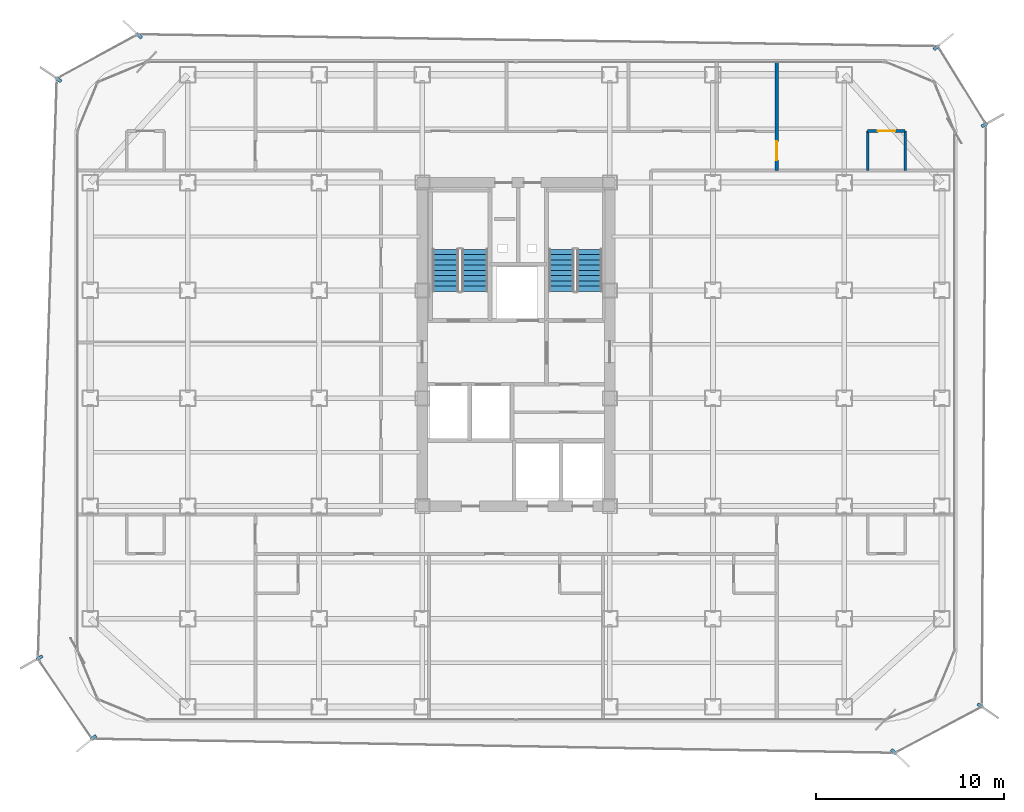
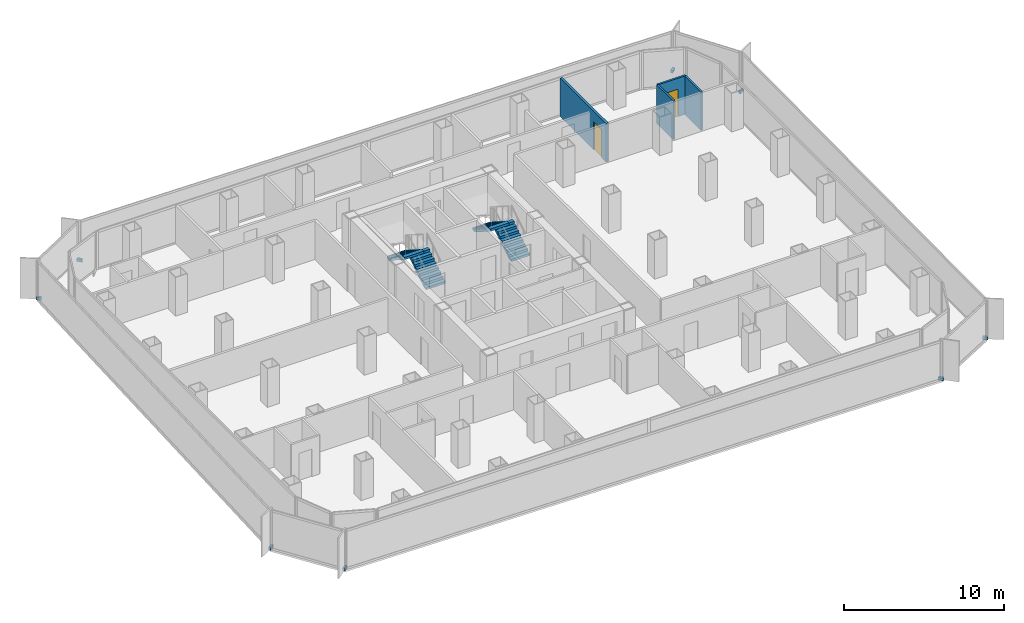
# One storey, part 18 of 21: 8 discrete accessories, 4 stair flights, 4 walls, 2 doors, 2 openings, 2 elements without a shape of their own.
"""IFC4 building model written with IfcOpenShell, lengths in metres."""

from ifc_helpers import new_model, si_unit, direction, frame, frame_2d, origin, origin_2d, place, context, subcontext, project, spatial, polyline, rectangle, outline, extrude, source, transform, mapped, material, layer, layer_set, type_object, element, fill, aggregate, save


model = new_model("IFC4")

# Units and contexts
model_context = context("Model", 3, precision=1e-05, world=origin(), true_north=direction((0.0, 1.0)))
body_context = subcontext(model_context, "Body", "Model", "MODEL_VIEW")
ifc_project = project(units=[si_unit("LENGTHUNIT", "METRE"), si_unit("AREAUNIT", "SQUARE_METRE"), si_unit("VOLUMEUNIT", "CUBIC_METRE"), si_unit("PLANEANGLEUNIT", "RADIAN"), si_unit("MASSUNIT", "GRAM", prefix="KILO")], contexts=[model_context])

# Site, building, storey
site_placement = place(None, origin())
site = spatial("IfcSite", under=ifc_project, at=site_placement, CompositionType="ELEMENT")
building_placement = place(site_placement, origin())
building = spatial("IfcBuilding", under=site, at=building_placement, Name="Kolveth Station Tower", CompositionType="ELEMENT")
storey_placement = place(building_placement, frame((0.0, 0.0, 127.89990234375)))
storey = spatial("IfcBuildingStorey", under=building, at=storey_placement, Name="L35", CompositionType="ELEMENT", Elevation=127.89990234375)

# Walls
ifc_material_1 = material(Name="Moisture-resistant gypsum partition")
ifc_layer_1 = layer(ifc_material_1, 0.135009765625)
ifc_layer_set_1 = layer_set([ifc_layer_1], Name="Moisture-resistant gypsum partition")
wall_type_1 = type_object("IfcWallType", Name="Wall_IW-135", PredefinedType="PARTITIONING", material=ifc_layer_set_1)
for number, where, z_axis, x_axis, name in (
    (1, (42.25, 29.39990234375, 0.0), (0.0, 0.0, 1.0), (0.0, 1.0, 0.0), "L35 Partition Wall WL-L35-ES2-BV1"),
    (2, (44.25, 29.39990234375, 0.0), (0.0, 0.0, 1.0), (0.0, 1.0, 0.0), "L35 Partition Wall WL-L35-ES2-BV2"),
):
    element("IfcWall", number, at=place(storey_placement, frame(where, z_axis=z_axis, x_axis=x_axis)), inside=storey, type_object=wall_type_1, Name=name, PredefinedType="PARTITIONING", context=body_context, shape_type="SweptSolid", body=[
        extrude(rectangle(XDim=2.10009765625, YDim=0.135009765625, at=frame_2d((1.050048828125, 0.0))), origin(), (0.0, 0.0, 1.0), 2.9501953125),
    ])

# Wall, opening, door
wall_1_placement = place(storey_placement, frame((42.25, 31.5, 0.0), z_axis=(0.0, 0.0, 1.0), x_axis=(1.0, 0.0, 0.0)))
wall_1 = element("IfcWall", 3, at=wall_1_placement, inside=storey, type_object=wall_type_1, Name="L35 Partition Wall WL-L35-ES2-BH", PredefinedType="PARTITIONING", context=body_context, shape_type="SweptSolid", body=[
    extrude(rectangle(XDim=2.0, YDim=0.135009765625, at=frame_2d((1.0, 0.0))), origin(), (0.0, 0.0, 1.0), 2.9501953125),
])
opening_1_placement = place(wall_1_placement, frame((0.5400390625, 0.0, 0.0)))
opening_1 = element("IfcOpeningElement", 4, at=opening_1_placement, cuts=wall_1, Name="Opening ID2", PredefinedType="OPENING", context=body_context, shape_type="SweptSolid", body=[
    extrude(rectangle(XDim=0.919921875, YDim=2.10009765625, at=frame_2d((0.4599609375, 1.050048828125))), frame((0.0, 0.077392578125, 0.0), z_axis=(0.0, -1.0, 0.0), x_axis=(1.0, 0.0, 0.0)), (0.0, 0.0, 1.0), 0.155029296875),
])
ifc_material_2 = material(Name="Moisture-resistant hardwood leaf", Category="wood")
door_type_1 = type_object("IfcDoorType", Name="Door_ID2", OperationType="NOTDEFINED", PredefinedType="DOOR", material=ifc_material_2)
door_1_placement = place(opening_1_placement, frame((0.919921875, 0.0, 0.0), z_axis=(0.0, 0.0, 1.0), x_axis=(-1.0, 0.0, 0.0)))
door_1 = element("IfcDoor", 5, at=door_1_placement, inside=storey, type_object=door_type_1, Name="L35 Hotel Guest Room ES2 En-Suite Door", OperationType="SINGLE_SWING_LEFT", OverallHeight=2.10009765625, OverallWidth=0.919921875, PredefinedType="DOOR", context=body_context, shape_type="SweptSolid", body=[
    extrude(rectangle(XDim=0.919921875, YDim=2.10009765625, at=frame_2d((0.4599609375, 1.050048828125))), frame((0.0, 0.02490234375, 0.0), z_axis=(0.0, -1.0, 0.0), x_axis=(1.0, 0.0, 0.0)), (0.0, 0.0, 1.0), 0.050048828125),
])
fill(opening_1, door_1)

ifc_material_3 = material(Name="Acoustic double-stud gypsum partition")
ifc_layer_2 = layer(ifc_material_3, 0.1650390625)
ifc_layer_set_2 = layer_set([ifc_layer_2], Name="Acoustic double-stud gypsum partition")
wall_type_2 = type_object("IfcWallType", Name="Wall_IW-165", PredefinedType="PARTITIONING", material=ifc_layer_set_2)
wall_2_placement = place(storey_placement, frame((37.39990234375, 29.39990234375, 0.0), z_axis=(0.0, 0.0, 1.0), x_axis=(0.0, 1.0, 0.0)))
wall_2 = element("IfcWall", 6, at=wall_2_placement, inside=storey, type_object=wall_type_2, Name="L35 Partition Wall WL-L35-END-EN", PredefinedType="PARTITIONING", context=body_context, shape_type="SweptSolid", body=[
    extrude(rectangle(XDim=5.739990234375, YDim=0.1650390625, at=frame_2d((2.8701171875, 0.0))), origin(), (0.0, 0.0, 1.0), 2.9501953125),
])
opening_2_placement = place(wall_2_placement, frame((0.550048828125, 0.0, 0.0)))
opening_2 = element("IfcOpeningElement", 7, at=opening_2_placement, cuts=wall_2, Name="Opening FD3", PredefinedType="OPENING", context=body_context, shape_type="SweptSolid", body=[
    extrude(rectangle(XDim=1.0, YDim=2.14990234375, at=frame_2d((0.5, 1.074951171875))), frame((0.0, 0.092529296875, 0.0), z_axis=(0.0, -1.0, 0.0), x_axis=(1.0, 0.0, 0.0)), (0.0, 0.0, 1.0), 0.18505859375),
])
ifc_material_4 = material(Name="Fire-rated hardwood leaf and aluminium frame", Category="wood")
door_type_2 = type_object("IfcDoorType", Name="Door_FD3", OperationType="NOTDEFINED", PredefinedType="DOOR", material=ifc_material_4)
door_2_placement = place(opening_2_placement, frame((1.0, 0.0, 0.0), z_axis=(0.0, 0.0, 1.0), x_axis=(-1.0, 0.0, 0.0)))
door_2 = element("IfcDoor", 8, at=door_2_placement, inside=storey, type_object=door_type_2, Name="L35 Hotel Guest Room ES2 Entrance Door", OperationType="SINGLE_SWING_LEFT", OverallHeight=2.14990234375, OverallWidth=1.0, PredefinedType="DOOR", context=body_context, shape_type="SweptSolid", body=[
    extrude(rectangle(XDim=1.0, YDim=2.14990234375, at=frame_2d((0.5, 1.074951171875))), frame((0.0, 0.02490234375, 0.0), z_axis=(0.0, -1.0, 0.0), x_axis=(1.0, 0.0, 0.0)), (0.0, 0.0, 1.0), 0.050048828125),
])
fill(opening_2, door_2)

# Stair, stair flights
ifc_material_5 = material(Name="Concrete C40/50", Category="concrete")
stair_type_1 = type_object("IfcStairType", Name="Stair_ST1", PredefinedType="HALF_TURN_STAIR", material=ifc_material_5)
stair_1_placement = place(storey_placement, origin())
stair_1 = element("IfcStair", 9, at=stair_1_placement, inside=storey, type_object=stair_type_1, Name="L35 Tower Exit Stair ST1", PredefinedType="HALF_TURN_STAIR")
ifc_layer_3 = layer(ifc_material_5, 0.179931640625)
ifc_layer_set_3 = layer_set([ifc_layer_3], Name="Concrete C40/50")
stair_flight_type_1 = type_object("IfcStairFlightType", Name="Flight_ST1", PredefinedType="STRAIGHT", material=ifc_layer_set_3)
stair_flight_1_placement = place(storey_placement, frame((21.300048828125, 22.949951171875, 0.0), z_axis=(0.0, 0.0, 1.0), x_axis=(0.0, 1.0, 0.0)))
stair_flight_1 = element("IfcStairFlight", 10, at=stair_flight_1_placement, type_object=stair_flight_type_1, Name="ST1 flight 1", NumberOfRisers=9, NumberOfTreads=8, PredefinedType="STRAIGHT", RiserHeight=0.177777778, TreadLength=0.28, context=body_context, shape_type="SweptSolid", body=[
    extrude(outline(polyline([(0.0, 0.0), (0.0, 0.177734375), (0.280029296875, 0.177734375), (0.280029296875, 0.35546875), (0.56005859375, 0.35546875), (0.56005859375, 0.533447265625), (0.840087890625, 0.533447265625), (0.840087890625, 0.711181640625), (1.1201171875, 0.711181640625), (1.1201171875, 0.888916015625), (1.39990234375, 0.888916015625), (1.39990234375, 1.066650390625), (1.679931640625, 1.066650390625), (1.679931640625, 1.244384765625), (1.9599609375, 1.244384765625), (1.9599609375, 1.422119140625), (2.239990234375, 1.422119140625), (2.239990234375, 1.60009765625), (2.239990234375, 1.24462890625), (0.27978515625, 0.0), (0.0, 0.0)])), frame((0.0, 0.699951171875, 0.0), z_axis=(0.0, -1.0, 0.0), x_axis=(1.0, 0.0, 0.0)), (0.0, 0.0, 1.0), 1.39990234375),
])
stair_flight_2_placement = place(storey_placement, frame((19.739990234375, 25.18994140625, 1.60009765625), z_axis=(0.0, 0.0, 1.0), x_axis=(0.0, -1.0, 0.0)))
stair_flight_2 = element("IfcStairFlight", 11, at=stair_flight_2_placement, type_object=stair_flight_type_1, Name="ST1 flight 2", NumberOfRisers=9, NumberOfTreads=8, PredefinedType="STRAIGHT", RiserHeight=0.177777778, TreadLength=0.28, context=body_context, shape_type="SweptSolid", body=[
    extrude(outline(polyline([(0.0, 0.0), (0.0, 0.177734375), (0.280029296875, 0.177734375), (0.280029296875, 0.35546875), (0.56005859375, 0.35546875), (0.56005859375, 0.533447265625), (0.840087890625, 0.533447265625), (0.840087890625, 0.711181640625), (1.1201171875, 0.711181640625), (1.1201171875, 0.888916015625), (1.39990234375, 0.888916015625), (1.39990234375, 1.066650390625), (1.679931640625, 1.066650390625), (1.679931640625, 1.244384765625), (1.9599609375, 1.244384765625), (1.9599609375, 1.422119140625), (2.239990234375, 1.422119140625), (2.239990234375, 1.60009765625), (2.239990234375, 1.24462890625), (0.27978515625, 0.0), (0.0, 0.0)])), frame((0.0, 0.699951171875, 0.0), z_axis=(0.0, -1.0, 0.0), x_axis=(1.0, 0.0, 0.0)), (0.0, 0.0, 1.0), 1.39990234375),
])
aggregate(stair_1, [stair_flight_1, stair_flight_2])

stair_type_2 = type_object("IfcStairType", Name="Stair_ST2", PredefinedType="HALF_TURN_STAIR", material=ifc_material_5)
stair_2_placement = place(storey_placement, origin())
stair_2 = element("IfcStair", 12, at=stair_2_placement, inside=storey, type_object=stair_type_2, Name="L35 Tower Exit Stair ST2", PredefinedType="HALF_TURN_STAIR")
ifc_layer_4 = layer(ifc_material_5, 0.179931640625)
ifc_layer_set_4 = layer_set([ifc_layer_4], Name="Concrete C40/50")
stair_flight_type_2 = type_object("IfcStairFlightType", Name="Flight_ST2", PredefinedType="STRAIGHT", material=ifc_layer_set_4)
stair_flight_3_placement = place(storey_placement, frame((27.425048828125, 22.949951171875, 0.0), z_axis=(0.0, 0.0, 1.0), x_axis=(0.0, 1.0, 0.0)))
stair_flight_3 = element("IfcStairFlight", 13, at=stair_flight_3_placement, type_object=stair_flight_type_2, Name="ST2 flight 1", NumberOfRisers=9, NumberOfTreads=8, PredefinedType="STRAIGHT", RiserHeight=0.177777778, TreadLength=0.28, context=body_context, shape_type="SweptSolid", body=[
    extrude(outline(polyline([(0.0, 0.0), (0.0, 0.177734375), (0.280029296875, 0.177734375), (0.280029296875, 0.35546875), (0.56005859375, 0.35546875), (0.56005859375, 0.533447265625), (0.840087890625, 0.533447265625), (0.840087890625, 0.711181640625), (1.1201171875, 0.711181640625), (1.1201171875, 0.888916015625), (1.39990234375, 0.888916015625), (1.39990234375, 1.066650390625), (1.679931640625, 1.066650390625), (1.679931640625, 1.244384765625), (1.9599609375, 1.244384765625), (1.9599609375, 1.422119140625), (2.239990234375, 1.422119140625), (2.239990234375, 1.60009765625), (2.239990234375, 1.24462890625), (0.27978515625, 0.0), (0.0, 0.0)])), frame((0.0, 0.675048828125, 0.0), z_axis=(0.0, -1.0, 0.0), x_axis=(1.0, 0.0, 0.0)), (0.0, 0.0, 1.0), 1.35009765625),
])
stair_flight_4_placement = place(storey_placement, frame((25.9150390625, 25.18994140625, 1.60009765625), z_axis=(0.0, 0.0, 1.0), x_axis=(0.0, -1.0, 0.0)))
stair_flight_4 = element("IfcStairFlight", 14, at=stair_flight_4_placement, type_object=stair_flight_type_2, Name="ST2 flight 2", NumberOfRisers=9, NumberOfTreads=8, PredefinedType="STRAIGHT", RiserHeight=0.177777778, TreadLength=0.28, context=body_context, shape_type="SweptSolid", body=[
    extrude(outline(polyline([(0.0, 0.0), (0.0, 0.177734375), (0.280029296875, 0.177734375), (0.280029296875, 0.35546875), (0.56005859375, 0.35546875), (0.56005859375, 0.533447265625), (0.840087890625, 0.533447265625), (0.840087890625, 0.711181640625), (1.1201171875, 0.711181640625), (1.1201171875, 0.888916015625), (1.39990234375, 0.888916015625), (1.39990234375, 1.066650390625), (1.679931640625, 1.066650390625), (1.679931640625, 1.244384765625), (1.9599609375, 1.244384765625), (1.9599609375, 1.422119140625), (2.239990234375, 1.422119140625), (2.239990234375, 1.60009765625), (2.239990234375, 1.24462890625), (0.27978515625, 0.0), (0.0, 0.0)])), frame((0.0, 0.675048828125, 0.0), z_axis=(0.0, -1.0, 0.0), x_axis=(1.0, 0.0, 0.0)), (0.0, 0.0, 1.0), 1.35009765625),
])
aggregate(stair_2, [stair_flight_3, stair_flight_4])

# Discrete accessories
ifc_material_6 = material(Name="Steel S355", Category="steel")
discrete_accessory_type = type_object("IfcDiscreteAccessoryType", Name="Bracket_BK1", PredefinedType="BRACKET", material=ifc_material_6)
shared_shape = source(origin(), body_context, "Body", "SweptSolid", [
    extrude(rectangle(XDim=0.35009765625, YDim=0.159912109375, at=origin_2d()), origin(), (0.0, 0.0, 1.0), 0.219970703125),
])
for number, where, z_axis, x_axis, name in (
    (15, (43.631103515625, -1.593017578125, -0.06005859375), (0.0, 0.0, 1.0), (0.722846553171, -0.691008582124, 0.0), "L35 Double-Skin Radial Tie Bracket 1"),
    (16, (48.2509765625, 0.85498046875, -0.06005859375), (0.0, 0.0, 1.0), (0.827472780913, -0.561505829755, 0.0), "L35 Double-Skin Radial Tie Bracket 2"),
    (17, (48.471923828125, 31.826904296875, -0.06005859375), (0.0, 0.0, 1.0), (0.869667294767, 0.493638325511, 0.0), "L35 Double-Skin Radial Tie Bracket 3"),
    (18, (45.9140625, 35.951904296875, -0.06005859375), (0.0, 0.0, 1.0), (0.774613452723, 0.632434975995, 0.0), "L35 Double-Skin Radial Tie Bracket 4"),
    (19, (3.407958984375, 36.580078125, -0.06005859375), (0.0, 0.0, 1.0), (-0.727892444455, 0.685691322174, 0.0), "L35 Double-Skin Radial Tie Bracket 5"),
    (20, (-0.89697265625, 34.240966796875, -0.06005859375), (0.0, 0.0, 1.0), (-0.826884319778, 0.562372049186, 0.0), "L35 Double-Skin Radial Tie Bracket 6"),
    (21, (-1.90087890625, 3.4189453125, -0.06005859375), (0.0, 0.0, 1.0), (-0.87241071329, -0.488773513334, 0.0), "L35 Double-Skin Radial Tie Bracket 7"),
    (22, (0.97509765625, -0.846923828125, -0.06005859375), (0.0, 0.0, 1.0), (-0.772844343101, -0.634595636084, 0.0), "L35 Double-Skin Radial Tie Bracket 8"),
):
    element("IfcDiscreteAccessory", number, at=place(storey_placement, frame(where, z_axis=z_axis, x_axis=x_axis)), inside=storey, type_object=discrete_accessory_type, Name=name, PredefinedType="BRACKET", context=body_context, shape_type="MappedRepresentation", body=[
        mapped(shared_shape, transform((0.0, 0.0, 0.0), x_axis=(1.0, 0.0, 0.0), y_axis=(0.0, 1.0, 0.0), z_axis=(0.0, 0.0, 1.0), scale=1.0)),
    ])

save(model, "model.ifc")
